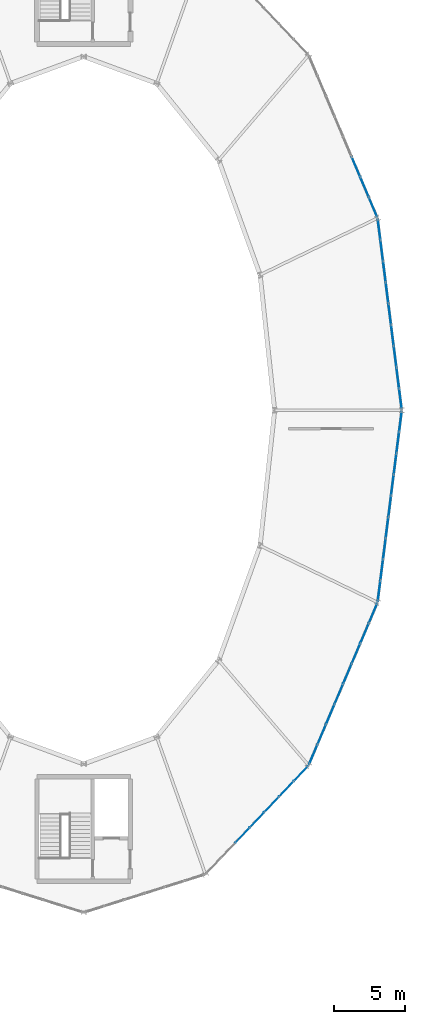
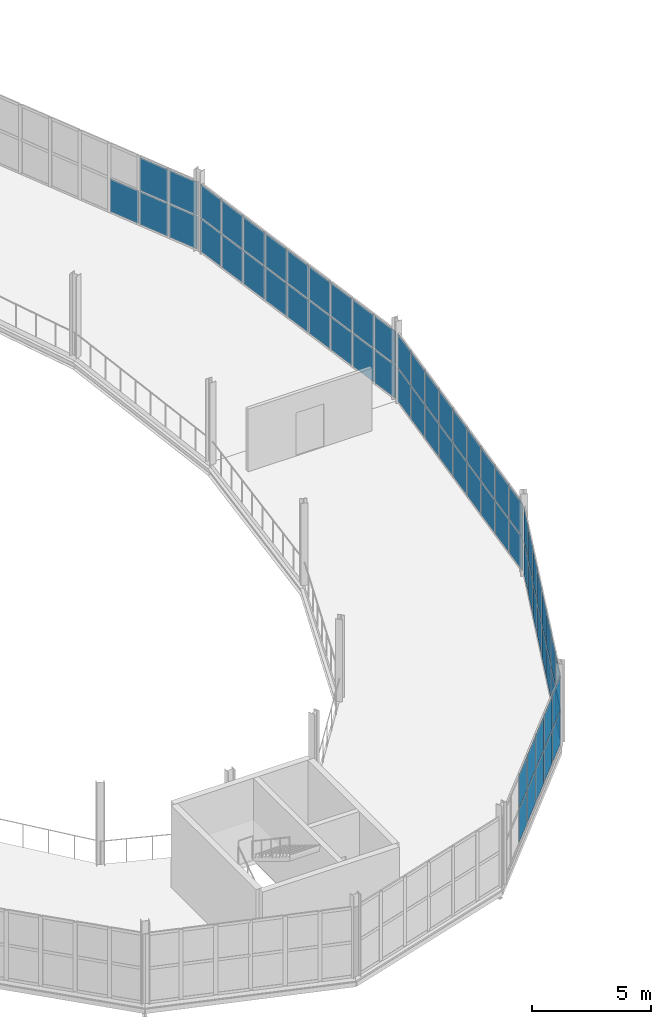
# One storey, part 125 of 161: 67 plates, 5 elements without a shape of their own.
"""IFC4 building model written with IfcOpenShell, lengths in metres."""

from ifc_helpers import new_model, si_unit, direction, frame, origin, origin_2d, place, context, subcontext, project, spatial, rectangle, extrude, material, layer, layer_set, type_object, element, aggregate, save


model = new_model("IFC4")

# Units and contexts
model_context = context("Model", 3, precision=1e-05, world=origin(), true_north=direction((0.0, 1.0)))
body_context = subcontext(model_context, "Body", "Model", "MODEL_VIEW")
ifc_project = project(units=[si_unit("LENGTHUNIT", "METRE"), si_unit("AREAUNIT", "SQUARE_METRE"), si_unit("VOLUMEUNIT", "CUBIC_METRE"), si_unit("PLANEANGLEUNIT", "RADIAN"), si_unit("MASSUNIT", "GRAM", prefix="KILO")], contexts=[model_context])

# Site, building, storey
site_placement = place(None, origin())
site = spatial("IfcSite", under=ifc_project, at=site_placement, CompositionType="ELEMENT")
building_placement = place(site_placement, origin())
building = spatial("IfcBuilding", under=site, at=building_placement, Name="Kildeholm Park Wholesale Market", CompositionType="ELEMENT")
storey_placement = place(building_placement, frame((0.0, 0.0, 5.39990234375)))
storey = spatial("IfcBuildingStorey", under=building, at=storey_placement, Name="L01", CompositionType="ELEMENT", Elevation=5.39990234375)

# Curtain wall, plates
ifc_material_1 = material(Name="Anodised aluminium and low-E double-glazed glass", Category="aluminium")
curtain_wall_type = type_object("IfcCurtainWallType", Name="Market hall glazed arcade stick curtain wall CW-01", PredefinedType="NOTDEFINED", material=ifc_material_1)
curtain_wall_1_placement = place(storey_placement, origin())
curtain_wall_1 = element("IfcCurtainWall", 1, at=curtain_wall_1_placement, inside=storey, type_object=curtain_wall_type, Name="Curtain wall CW-V2-L01-00 CW-0119", PredefinedType="NOTDEFINED")
ifc_material_2 = material(Name="Double-glazed low-E insulated glass", Category="glass")
ifc_layer = layer(ifc_material_2, 0.028076171875)
ifc_layer_set = layer_set([ifc_layer], Name="Double-glazed low-E insulated glass")
plate_type = type_object("IfcPlateType", Name="Curtain-wall panel CWP-1 28 mm", PredefinedType="CURTAIN_PANEL", material=ifc_layer_set)
plate_1_placement = place(storey_placement, frame((210.4033203125, 95.3076171875, 0.06494140625), z_axis=(0.0, 0.0, 1.0), x_axis=(-0.12509240377, 0.992145095497, 0.0)))
plate_1 = element("IfcPlate", 2, at=plate_1_placement, type_object=plate_type, Name="CW-01 panel 1.1 PLT-1740", PredefinedType="CURTAIN_PANEL", context=body_context, shape_type="SweptSolid", body=[
    extrude(rectangle(XDim=1.4150390625, YDim=0.028076171875, at=origin_2d()), origin(), (0.0, 0.0, 1.0), 1.677490234375),
])
plate_2_placement = place(storey_placement, frame((210.4033203125, 95.3076171875, 1.8076171875), z_axis=(0.0, 0.0, 1.0), x_axis=(-0.12509240377, 0.992145095497, 0.0)))
plate_2 = element("IfcPlate", 3, at=plate_2_placement, type_object=plate_type, Name="CW-01 panel 1.2 PLT-1741", PredefinedType="CURTAIN_PANEL", context=body_context, shape_type="SweptSolid", body=[
    extrude(rectangle(XDim=1.4150390625, YDim=0.028076171875, at=origin_2d()), origin(), (0.0, 0.0, 1.0), 1.677490234375),
])
plate_3_placement = place(storey_placement, frame((210.216064453125, 96.792236328125, 0.06494140625), z_axis=(0.0, 0.0, 1.0), x_axis=(-0.12509240377, 0.992145095497, 0.0)))
plate_3 = element("IfcPlate", 4, at=plate_3_placement, type_object=plate_type, Name="CW-01 panel 2.1 PLT-1742", PredefinedType="CURTAIN_PANEL", context=body_context, shape_type="SweptSolid", body=[
    extrude(rectangle(XDim=1.44775390625, YDim=0.028076171875, at=origin_2d()), origin(), (0.0, 0.0, 1.0), 1.677490234375),
])
plate_4_placement = place(storey_placement, frame((210.216064453125, 96.792236328125, 1.8076171875), z_axis=(0.0, 0.0, 1.0), x_axis=(-0.12509240377, 0.992145095497, 0.0)))
plate_4 = element("IfcPlate", 5, at=plate_4_placement, type_object=plate_type, Name="CW-01 panel 2.2 PLT-1743", PredefinedType="CURTAIN_PANEL", context=body_context, shape_type="SweptSolid", body=[
    extrude(rectangle(XDim=1.44775390625, YDim=0.028076171875, at=origin_2d()), origin(), (0.0, 0.0, 1.0), 1.677490234375),
])
plate_5_placement = place(storey_placement, frame((210.02685546875, 98.29296875, 0.06494140625), z_axis=(0.0, 0.0, 1.0), x_axis=(-0.12509240377, 0.992145095497, 0.0)))
plate_5 = element("IfcPlate", 6, at=plate_5_placement, type_object=plate_type, Name="CW-01 panel 3.1 PLT-1744", PredefinedType="CURTAIN_PANEL", context=body_context, shape_type="SweptSolid", body=[
    extrude(rectangle(XDim=1.44775390625, YDim=0.028076171875, at=origin_2d()), origin(), (0.0, 0.0, 1.0), 1.677490234375),
])
plate_6_placement = place(storey_placement, frame((210.02685546875, 98.29296875, 1.8076171875), z_axis=(0.0, 0.0, 1.0), x_axis=(-0.12509240377, 0.992145095497, 0.0)))
plate_6 = element("IfcPlate", 7, at=plate_6_placement, type_object=plate_type, Name="CW-01 panel 3.2 PLT-1745", PredefinedType="CURTAIN_PANEL", context=body_context, shape_type="SweptSolid", body=[
    extrude(rectangle(XDim=1.44775390625, YDim=0.028076171875, at=origin_2d()), origin(), (0.0, 0.0, 1.0), 1.677490234375),
])
plate_7_placement = place(storey_placement, frame((209.837646484375, 99.793701171875, 0.06494140625), z_axis=(0.0, 0.0, 1.0), x_axis=(-0.12509240377, 0.992145095497, 0.0)))
plate_7 = element("IfcPlate", 8, at=plate_7_placement, type_object=plate_type, Name="CW-01 panel 4.1 PLT-1746", PredefinedType="CURTAIN_PANEL", context=body_context, shape_type="SweptSolid", body=[
    extrude(rectangle(XDim=1.44775390625, YDim=0.028076171875, at=origin_2d()), origin(), (0.0, 0.0, 1.0), 1.677490234375),
])
plate_8_placement = place(storey_placement, frame((209.837646484375, 99.793701171875, 1.8076171875), z_axis=(0.0, 0.0, 1.0), x_axis=(-0.12509240377, 0.992145095497, 0.0)))
plate_8 = element("IfcPlate", 9, at=plate_8_placement, type_object=plate_type, Name="CW-01 panel 4.2 PLT-1747", PredefinedType="CURTAIN_PANEL", context=body_context, shape_type="SweptSolid", body=[
    extrude(rectangle(XDim=1.44775390625, YDim=0.028076171875, at=origin_2d()), origin(), (0.0, 0.0, 1.0), 1.677490234375),
])
plate_9_placement = place(storey_placement, frame((209.6484375, 101.29443359375, 0.06494140625), z_axis=(0.0, 0.0, 1.0), x_axis=(-0.12509240377, 0.992145095497, 0.0)))
plate_9 = element("IfcPlate", 10, at=plate_9_placement, type_object=plate_type, Name="CW-01 panel 5.1 PLT-1748", PredefinedType="CURTAIN_PANEL", context=body_context, shape_type="SweptSolid", body=[
    extrude(rectangle(XDim=1.44775390625, YDim=0.028076171875, at=origin_2d()), origin(), (0.0, 0.0, 1.0), 1.677490234375),
])
plate_10_placement = place(storey_placement, frame((209.6484375, 101.29443359375, 1.8076171875), z_axis=(0.0, 0.0, 1.0), x_axis=(-0.12509240377, 0.992145095497, 0.0)))
plate_10 = element("IfcPlate", 11, at=plate_10_placement, type_object=plate_type, Name="CW-01 panel 5.2 PLT-1749", PredefinedType="CURTAIN_PANEL", context=body_context, shape_type="SweptSolid", body=[
    extrude(rectangle(XDim=1.44775390625, YDim=0.028076171875, at=origin_2d()), origin(), (0.0, 0.0, 1.0), 1.677490234375),
])
plate_11_placement = place(storey_placement, frame((209.459228515625, 102.795166015625, 0.06494140625), z_axis=(0.0, 0.0, 1.0), x_axis=(-0.12509240377, 0.992145095497, 0.0)))
plate_11 = element("IfcPlate", 12, at=plate_11_placement, type_object=plate_type, Name="CW-01 panel 6.1 PLT-1750", PredefinedType="CURTAIN_PANEL", context=body_context, shape_type="SweptSolid", body=[
    extrude(rectangle(XDim=1.44775390625, YDim=0.028076171875, at=origin_2d()), origin(), (0.0, 0.0, 1.0), 1.677490234375),
])
plate_12_placement = place(storey_placement, frame((209.459228515625, 102.795166015625, 1.8076171875), z_axis=(0.0, 0.0, 1.0), x_axis=(-0.12509240377, 0.992145095497, 0.0)))
plate_12 = element("IfcPlate", 13, at=plate_12_placement, type_object=plate_type, Name="CW-01 panel 6.2 PLT-1751", PredefinedType="CURTAIN_PANEL", context=body_context, shape_type="SweptSolid", body=[
    extrude(rectangle(XDim=1.44775390625, YDim=0.028076171875, at=origin_2d()), origin(), (0.0, 0.0, 1.0), 1.677490234375),
])
plate_13_placement = place(storey_placement, frame((209.27001953125, 104.296142578125, 0.06494140625), z_axis=(0.0, 0.0, 1.0), x_axis=(-0.12509240377, 0.992145095497, 0.0)))
plate_13 = element("IfcPlate", 14, at=plate_13_placement, type_object=plate_type, Name="CW-01 panel 7.1 PLT-1752", PredefinedType="CURTAIN_PANEL", context=body_context, shape_type="SweptSolid", body=[
    extrude(rectangle(XDim=1.44775390625, YDim=0.028076171875, at=origin_2d()), origin(), (0.0, 0.0, 1.0), 1.677490234375),
])
plate_14_placement = place(storey_placement, frame((209.27001953125, 104.296142578125, 1.8076171875), z_axis=(0.0, 0.0, 1.0), x_axis=(-0.12509240377, 0.992145095497, 0.0)))
plate_14 = element("IfcPlate", 15, at=plate_14_placement, type_object=plate_type, Name="CW-01 panel 7.2 PLT-1753", PredefinedType="CURTAIN_PANEL", context=body_context, shape_type="SweptSolid", body=[
    extrude(rectangle(XDim=1.44775390625, YDim=0.028076171875, at=origin_2d()), origin(), (0.0, 0.0, 1.0), 1.677490234375),
])
plate_15_placement = place(storey_placement, frame((209.080810546875, 105.796875, 0.06494140625), z_axis=(0.0, 0.0, 1.0), x_axis=(-0.12509240377, 0.992145095497, 0.0)))
plate_15 = element("IfcPlate", 16, at=plate_15_placement, type_object=plate_type, Name="CW-01 panel 8.1 PLT-1754", PredefinedType="CURTAIN_PANEL", context=body_context, shape_type="SweptSolid", body=[
    extrude(rectangle(XDim=1.44775390625, YDim=0.028076171875, at=origin_2d()), origin(), (0.0, 0.0, 1.0), 1.677490234375),
])
plate_16_placement = place(storey_placement, frame((209.080810546875, 105.796875, 1.8076171875), z_axis=(0.0, 0.0, 1.0), x_axis=(-0.12509240377, 0.992145095497, 0.0)))
plate_16 = element("IfcPlate", 17, at=plate_16_placement, type_object=plate_type, Name="CW-01 panel 8.2 PLT-1755", PredefinedType="CURTAIN_PANEL", context=body_context, shape_type="SweptSolid", body=[
    extrude(rectangle(XDim=1.44775390625, YDim=0.028076171875, at=origin_2d()), origin(), (0.0, 0.0, 1.0), 1.677490234375),
])
plate_17_placement = place(storey_placement, frame((208.8935546875, 107.281494140625, 0.06494140625), z_axis=(0.0, 0.0, 1.0), x_axis=(-0.12509240377, 0.992145095497, 0.0)))
plate_17 = element("IfcPlate", 18, at=plate_17_placement, type_object=plate_type, Name="CW-01 panel 9.1 PLT-1756", PredefinedType="CURTAIN_PANEL", context=body_context, shape_type="SweptSolid", body=[
    extrude(rectangle(XDim=1.4150390625, YDim=0.028076171875, at=origin_2d()), origin(), (0.0, 0.0, 1.0), 1.677490234375),
])
plate_18_placement = place(storey_placement, frame((208.8935546875, 107.281494140625, 1.8076171875), z_axis=(0.0, 0.0, 1.0), x_axis=(-0.12509240377, 0.992145095497, 0.0)))
plate_18 = element("IfcPlate", 19, at=plate_18_placement, type_object=plate_type, Name="CW-01 panel 9.2 PLT-1757", PredefinedType="CURTAIN_PANEL", context=body_context, shape_type="SweptSolid", body=[
    extrude(rectangle(XDim=1.4150390625, YDim=0.028076171875, at=origin_2d()), origin(), (0.0, 0.0, 1.0), 1.677490234375),
])
aggregate(curtain_wall_1, [plate_1, plate_2, plate_3, plate_4, plate_5, plate_6, plate_7, plate_8, plate_9, plate_10, plate_11, plate_12, plate_13, plate_14, plate_15, plate_16, plate_17, plate_18])

curtain_wall_2_placement = place(storey_placement, origin())
curtain_wall_2 = element("IfcCurtainWall", 20, at=curtain_wall_2_placement, inside=storey, type_object=curtain_wall_type, Name="Curtain wall CW-V2-L01-01 CW-0120", PredefinedType="NOTDEFINED")
plate_19_placement = place(storey_placement, frame((208.466796875, 108.856201171875, 0.06494140625), z_axis=(0.0, 0.0, 1.0), x_axis=(-0.389905076002, 0.920855054668, 0.0)))
plate_19 = element("IfcPlate", 21, at=plate_19_placement, type_object=plate_type, Name="CW-01 panel 1.1 PLT-1758", PredefinedType="CURTAIN_PANEL", context=body_context, shape_type="SweptSolid", body=[
    extrude(rectangle(XDim=1.4560546875, YDim=0.028076171875, at=origin_2d()), origin(), (0.0, 0.0, 1.0), 1.677490234375),
])
plate_20_placement = place(storey_placement, frame((208.466796875, 108.856201171875, 1.8076171875), z_axis=(0.0, 0.0, 1.0), x_axis=(-0.389905076002, 0.920855054668, 0.0)))
plate_20 = element("IfcPlate", 22, at=plate_20_placement, type_object=plate_type, Name="CW-01 panel 1.2 PLT-1759", PredefinedType="CURTAIN_PANEL", context=body_context, shape_type="SweptSolid", body=[
    extrude(rectangle(XDim=1.4560546875, YDim=0.028076171875, at=origin_2d()), origin(), (0.0, 0.0, 1.0), 1.677490234375),
])
plate_21_placement = place(storey_placement, frame((207.867431640625, 110.27197265625, 0.06494140625), z_axis=(0.0, 0.0, 1.0), x_axis=(-0.389905076002, 0.920855054668, 0.0)))
plate_21 = element("IfcPlate", 23, at=plate_21_placement, type_object=plate_type, Name="CW-01 panel 2.1 PLT-1760", PredefinedType="CURTAIN_PANEL", context=body_context, shape_type="SweptSolid", body=[
    extrude(rectangle(XDim=1.488525390625, YDim=0.028076171875, at=origin_2d()), origin(), (0.0, 0.0, 1.0), 1.677490234375),
])
plate_22_placement = place(storey_placement, frame((207.867431640625, 110.27197265625, 1.8076171875), z_axis=(0.0, 0.0, 1.0), x_axis=(-0.389905076002, 0.920855054668, 0.0)))
plate_22 = element("IfcPlate", 24, at=plate_22_placement, type_object=plate_type, Name="CW-01 panel 2.2 PLT-1761", PredefinedType="CURTAIN_PANEL", context=body_context, shape_type="SweptSolid", body=[
    extrude(rectangle(XDim=1.488525390625, YDim=0.028076171875, at=origin_2d()), origin(), (0.0, 0.0, 1.0), 1.677490234375),
])
plate_23_placement = place(storey_placement, frame((207.26171875, 111.70263671875, 0.06494140625), z_axis=(0.0, 0.0, 1.0), x_axis=(-0.389905076002, 0.920855054668, 0.0)))
plate_23 = element("IfcPlate", 25, at=plate_23_placement, type_object=plate_type, Name="CW-01 panel 3.1 PLT-1762", PredefinedType="CURTAIN_PANEL", context=body_context, shape_type="SweptSolid", body=[
    extrude(rectangle(XDim=1.488525390625, YDim=0.028076171875, at=origin_2d()), origin(), (0.0, 0.0, 1.0), 1.677490234375),
])
aggregate(curtain_wall_2, [plate_19, plate_20, plate_21, plate_22, plate_23])

curtain_wall_3_placement = place(storey_placement, origin())
curtain_wall_3 = element("IfcCurtainWall", 26, at=curtain_wall_3_placement, inside=storey, type_object=curtain_wall_type, Name="Curtain wall CW-V2-L01-13 CW-0132", PredefinedType="NOTDEFINED")
plate_24_placement = place(storey_placement, frame((199.228515625, 64.4501953125, 0.06494140625), z_axis=(0.0, 0.0, 1.0), x_axis=(0.688147627866, 0.725570701078, 0.0)))
plate_24 = element("IfcPlate", 27, at=plate_24_placement, type_object=plate_type, Name="CW-01 panel 3.1 PLT-1936", PredefinedType="CURTAIN_PANEL", context=body_context, shape_type="SweptSolid", body=[
    extrude(rectangle(XDim=1.43896484375, YDim=0.028076171875, at=origin_2d()), origin(), (0.0, 0.0, 1.0), 1.677490234375),
])
plate_25_placement = place(storey_placement, frame((199.228515625, 64.4501953125, 1.8076171875), z_axis=(0.0, 0.0, 1.0), x_axis=(0.688147627866, 0.725570701078, 0.0)))
plate_25 = element("IfcPlate", 28, at=plate_25_placement, type_object=plate_type, Name="CW-01 panel 3.2 PLT-1937", PredefinedType="CURTAIN_PANEL", context=body_context, shape_type="SweptSolid", body=[
    extrude(rectangle(XDim=1.43896484375, YDim=0.028076171875, at=origin_2d()), origin(), (0.0, 0.0, 1.0), 1.677490234375),
])
plate_26_placement = place(storey_placement, frame((200.263427734375, 65.54150390625, 0.06494140625), z_axis=(0.0, 0.0, 1.0), x_axis=(0.688147627866, 0.725570701078, 0.0)))
plate_26 = element("IfcPlate", 29, at=plate_26_placement, type_object=plate_type, Name="CW-01 panel 4.1 PLT-1938", PredefinedType="CURTAIN_PANEL", context=body_context, shape_type="SweptSolid", body=[
    extrude(rectangle(XDim=1.43896484375, YDim=0.028076171875, at=origin_2d()), origin(), (0.0, 0.0, 1.0), 1.677490234375),
])
plate_27_placement = place(storey_placement, frame((200.263427734375, 65.54150390625, 1.8076171875), z_axis=(0.0, 0.0, 1.0), x_axis=(0.688147627866, 0.725570701078, 0.0)))
plate_27 = element("IfcPlate", 30, at=plate_27_placement, type_object=plate_type, Name="CW-01 panel 4.2 PLT-1939", PredefinedType="CURTAIN_PANEL", context=body_context, shape_type="SweptSolid", body=[
    extrude(rectangle(XDim=1.43896484375, YDim=0.028076171875, at=origin_2d()), origin(), (0.0, 0.0, 1.0), 1.677490234375),
])
plate_28_placement = place(storey_placement, frame((201.298583984375, 66.6328125, 0.06494140625), z_axis=(0.0, 0.0, 1.0), x_axis=(0.688147627866, 0.725570701078, 0.0)))
plate_28 = element("IfcPlate", 31, at=plate_28_placement, type_object=plate_type, Name="CW-01 panel 5.1 PLT-1940", PredefinedType="CURTAIN_PANEL", context=body_context, shape_type="SweptSolid", body=[
    extrude(rectangle(XDim=1.43896484375, YDim=0.028076171875, at=origin_2d()), origin(), (0.0, 0.0, 1.0), 1.677490234375),
])
plate_29_placement = place(storey_placement, frame((201.298583984375, 66.6328125, 1.8076171875), z_axis=(0.0, 0.0, 1.0), x_axis=(0.688147627866, 0.725570701078, 0.0)))
plate_29 = element("IfcPlate", 32, at=plate_29_placement, type_object=plate_type, Name="CW-01 panel 5.2 PLT-1941", PredefinedType="CURTAIN_PANEL", context=body_context, shape_type="SweptSolid", body=[
    extrude(rectangle(XDim=1.43896484375, YDim=0.028076171875, at=origin_2d()), origin(), (0.0, 0.0, 1.0), 1.677490234375),
])
plate_30_placement = place(storey_placement, frame((202.33349609375, 67.72412109375, 0.06494140625), z_axis=(0.0, 0.0, 1.0), x_axis=(0.688147627866, 0.725570701078, 0.0)))
plate_30 = element("IfcPlate", 33, at=plate_30_placement, type_object=plate_type, Name="CW-01 panel 6.1 PLT-1942", PredefinedType="CURTAIN_PANEL", context=body_context, shape_type="SweptSolid", body=[
    extrude(rectangle(XDim=1.43896484375, YDim=0.028076171875, at=origin_2d()), origin(), (0.0, 0.0, 1.0), 1.677490234375),
])
plate_31_placement = place(storey_placement, frame((202.33349609375, 67.72412109375, 1.8076171875), z_axis=(0.0, 0.0, 1.0), x_axis=(0.688147627866, 0.725570701078, 0.0)))
plate_31 = element("IfcPlate", 34, at=plate_31_placement, type_object=plate_type, Name="CW-01 panel 6.2 PLT-1943", PredefinedType="CURTAIN_PANEL", context=body_context, shape_type="SweptSolid", body=[
    extrude(rectangle(XDim=1.43896484375, YDim=0.028076171875, at=origin_2d()), origin(), (0.0, 0.0, 1.0), 1.677490234375),
])
plate_32_placement = place(storey_placement, frame((203.357421875, 68.803466796875, 0.06494140625), z_axis=(0.0, 0.0, 1.0), x_axis=(0.688147627866, 0.725570701078, 0.0)))
plate_32 = element("IfcPlate", 35, at=plate_32_placement, type_object=plate_type, Name="CW-01 panel 7.1 PLT-1944", PredefinedType="CURTAIN_PANEL", context=body_context, shape_type="SweptSolid", body=[
    extrude(rectangle(XDim=1.406494140625, YDim=0.028076171875, at=origin_2d()), origin(), (0.0, 0.0, 1.0), 1.677490234375),
])
plate_33_placement = place(storey_placement, frame((203.357421875, 68.803466796875, 1.8076171875), z_axis=(0.0, 0.0, 1.0), x_axis=(0.688147627866, 0.725570701078, 0.0)))
plate_33 = element("IfcPlate", 36, at=plate_33_placement, type_object=plate_type, Name="CW-01 panel 7.2 PLT-1945", PredefinedType="CURTAIN_PANEL", context=body_context, shape_type="SweptSolid", body=[
    extrude(rectangle(XDim=1.406494140625, YDim=0.028076171875, at=origin_2d()), origin(), (0.0, 0.0, 1.0), 1.677490234375),
])
aggregate(curtain_wall_3, [plate_24, plate_25, plate_26, plate_27, plate_28, plate_29, plate_30, plate_31, plate_32, plate_33])

curtain_wall_4_placement = place(storey_placement, origin())
curtain_wall_4 = element("IfcCurtainWall", 37, at=curtain_wall_4_placement, inside=storey, type_object=curtain_wall_type, Name="Curtain wall CW-V2-L01-14 CW-0133", PredefinedType="NOTDEFINED")
plate_34_placement = place(storey_placement, frame((204.2392578125, 70.1591796875, 0.06494140625), z_axis=(0.0, 0.0, 1.0), x_axis=(0.389905076002, 0.920855054668, 0.0)))
plate_34 = element("IfcPlate", 38, at=plate_34_placement, type_object=plate_type, Name="CW-01 panel 1.1 PLT-1946", PredefinedType="CURTAIN_PANEL", context=body_context, shape_type="SweptSolid", body=[
    extrude(rectangle(XDim=1.4560546875, YDim=0.028076171875, at=origin_2d()), origin(), (0.0, 0.0, 1.0), 1.677490234375),
])
plate_35_placement = place(storey_placement, frame((204.2392578125, 70.1591796875, 1.8076171875), z_axis=(0.0, 0.0, 1.0), x_axis=(0.389905076002, 0.920855054668, 0.0)))
plate_35 = element("IfcPlate", 39, at=plate_35_placement, type_object=plate_type, Name="CW-01 panel 1.2 PLT-1947", PredefinedType="CURTAIN_PANEL", context=body_context, shape_type="SweptSolid", body=[
    extrude(rectangle(XDim=1.4560546875, YDim=0.028076171875, at=origin_2d()), origin(), (0.0, 0.0, 1.0), 1.677490234375),
])
plate_36_placement = place(storey_placement, frame((204.838623046875, 71.574951171875, 0.06494140625), z_axis=(0.0, 0.0, 1.0), x_axis=(0.389905076002, 0.920855054668, 0.0)))
plate_36 = element("IfcPlate", 40, at=plate_36_placement, type_object=plate_type, Name="CW-01 panel 2.1 PLT-1948", PredefinedType="CURTAIN_PANEL", context=body_context, shape_type="SweptSolid", body=[
    extrude(rectangle(XDim=1.488525390625, YDim=0.028076171875, at=origin_2d()), origin(), (0.0, 0.0, 1.0), 1.677490234375),
])
plate_37_placement = place(storey_placement, frame((204.838623046875, 71.574951171875, 1.8076171875), z_axis=(0.0, 0.0, 1.0), x_axis=(0.389905076002, 0.920855054668, 0.0)))
plate_37 = element("IfcPlate", 41, at=plate_37_placement, type_object=plate_type, Name="CW-01 panel 2.2 PLT-1949", PredefinedType="CURTAIN_PANEL", context=body_context, shape_type="SweptSolid", body=[
    extrude(rectangle(XDim=1.488525390625, YDim=0.028076171875, at=origin_2d()), origin(), (0.0, 0.0, 1.0), 1.677490234375),
])
plate_38_placement = place(storey_placement, frame((205.4443359375, 73.005615234375, 0.06494140625), z_axis=(0.0, 0.0, 1.0), x_axis=(0.389905076002, 0.920855054668, 0.0)))
plate_38 = element("IfcPlate", 42, at=plate_38_placement, type_object=plate_type, Name="CW-01 panel 3.1 PLT-1950", PredefinedType="CURTAIN_PANEL", context=body_context, shape_type="SweptSolid", body=[
    extrude(rectangle(XDim=1.488525390625, YDim=0.028076171875, at=origin_2d()), origin(), (0.0, 0.0, 1.0), 1.677490234375),
])
plate_39_placement = place(storey_placement, frame((205.4443359375, 73.005615234375, 1.8076171875), z_axis=(0.0, 0.0, 1.0), x_axis=(0.389905076002, 0.920855054668, 0.0)))
plate_39 = element("IfcPlate", 43, at=plate_39_placement, type_object=plate_type, Name="CW-01 panel 3.2 PLT-1951", PredefinedType="CURTAIN_PANEL", context=body_context, shape_type="SweptSolid", body=[
    extrude(rectangle(XDim=1.488525390625, YDim=0.028076171875, at=origin_2d()), origin(), (0.0, 0.0, 1.0), 1.677490234375),
])
plate_40_placement = place(storey_placement, frame((206.050048828125, 74.436279296875, 0.06494140625), z_axis=(0.0, 0.0, 1.0), x_axis=(0.389905076002, 0.920855054668, 0.0)))
plate_40 = element("IfcPlate", 44, at=plate_40_placement, type_object=plate_type, Name="CW-01 panel 4.1 PLT-1952", PredefinedType="CURTAIN_PANEL", context=body_context, shape_type="SweptSolid", body=[
    extrude(rectangle(XDim=1.488525390625, YDim=0.028076171875, at=origin_2d()), origin(), (0.0, 0.0, 1.0), 1.677490234375),
])
plate_41_placement = place(storey_placement, frame((206.050048828125, 74.436279296875, 1.8076171875), z_axis=(0.0, 0.0, 1.0), x_axis=(0.389905076002, 0.920855054668, 0.0)))
plate_41 = element("IfcPlate", 45, at=plate_41_placement, type_object=plate_type, Name="CW-01 panel 4.2 PLT-1953", PredefinedType="CURTAIN_PANEL", context=body_context, shape_type="SweptSolid", body=[
    extrude(rectangle(XDim=1.488525390625, YDim=0.028076171875, at=origin_2d()), origin(), (0.0, 0.0, 1.0), 1.677490234375),
])
plate_42_placement = place(storey_placement, frame((206.65576171875, 75.86669921875, 0.06494140625), z_axis=(0.0, 0.0, 1.0), x_axis=(0.389905076002, 0.920855054668, 0.0)))
plate_42 = element("IfcPlate", 46, at=plate_42_placement, type_object=plate_type, Name="CW-01 panel 5.1 PLT-1954", PredefinedType="CURTAIN_PANEL", context=body_context, shape_type="SweptSolid", body=[
    extrude(rectangle(XDim=1.488525390625, YDim=0.028076171875, at=origin_2d()), origin(), (0.0, 0.0, 1.0), 1.677490234375),
])
plate_43_placement = place(storey_placement, frame((206.65576171875, 75.86669921875, 1.8076171875), z_axis=(0.0, 0.0, 1.0), x_axis=(0.389905076002, 0.920855054668, 0.0)))
plate_43 = element("IfcPlate", 47, at=plate_43_placement, type_object=plate_type, Name="CW-01 panel 5.2 PLT-1955", PredefinedType="CURTAIN_PANEL", context=body_context, shape_type="SweptSolid", body=[
    extrude(rectangle(XDim=1.488525390625, YDim=0.028076171875, at=origin_2d()), origin(), (0.0, 0.0, 1.0), 1.677490234375),
])
plate_44_placement = place(storey_placement, frame((207.26171875, 77.29736328125, 0.06494140625), z_axis=(0.0, 0.0, 1.0), x_axis=(0.389905076002, 0.920855054668, 0.0)))
plate_44 = element("IfcPlate", 48, at=plate_44_placement, type_object=plate_type, Name="CW-01 panel 6.1 PLT-1956", PredefinedType="CURTAIN_PANEL", context=body_context, shape_type="SweptSolid", body=[
    extrude(rectangle(XDim=1.488525390625, YDim=0.028076171875, at=origin_2d()), origin(), (0.0, 0.0, 1.0), 1.677490234375),
])
plate_45_placement = place(storey_placement, frame((207.26171875, 77.29736328125, 1.8076171875), z_axis=(0.0, 0.0, 1.0), x_axis=(0.389905076002, 0.920855054668, 0.0)))
plate_45 = element("IfcPlate", 49, at=plate_45_placement, type_object=plate_type, Name="CW-01 panel 6.2 PLT-1957", PredefinedType="CURTAIN_PANEL", context=body_context, shape_type="SweptSolid", body=[
    extrude(rectangle(XDim=1.488525390625, YDim=0.028076171875, at=origin_2d()), origin(), (0.0, 0.0, 1.0), 1.677490234375),
])
plate_46_placement = place(storey_placement, frame((207.867431640625, 78.72802734375, 0.06494140625), z_axis=(0.0, 0.0, 1.0), x_axis=(0.389905076002, 0.920855054668, 0.0)))
plate_46 = element("IfcPlate", 50, at=plate_46_placement, type_object=plate_type, Name="CW-01 panel 7.1 PLT-1958", PredefinedType="CURTAIN_PANEL", context=body_context, shape_type="SweptSolid", body=[
    extrude(rectangle(XDim=1.488525390625, YDim=0.028076171875, at=origin_2d()), origin(), (0.0, 0.0, 1.0), 1.677490234375),
])
plate_47_placement = place(storey_placement, frame((207.867431640625, 78.72802734375, 1.8076171875), z_axis=(0.0, 0.0, 1.0), x_axis=(0.389905076002, 0.920855054668, 0.0)))
plate_47 = element("IfcPlate", 51, at=plate_47_placement, type_object=plate_type, Name="CW-01 panel 7.2 PLT-1959", PredefinedType="CURTAIN_PANEL", context=body_context, shape_type="SweptSolid", body=[
    extrude(rectangle(XDim=1.488525390625, YDim=0.028076171875, at=origin_2d()), origin(), (0.0, 0.0, 1.0), 1.677490234375),
])
plate_48_placement = place(storey_placement, frame((208.466796875, 80.143798828125, 0.06494140625), z_axis=(0.0, 0.0, 1.0), x_axis=(0.389905076002, 0.920855054668, 0.0)))
plate_48 = element("IfcPlate", 52, at=plate_48_placement, type_object=plate_type, Name="CW-01 panel 8.1 PLT-1960", PredefinedType="CURTAIN_PANEL", context=body_context, shape_type="SweptSolid", body=[
    extrude(rectangle(XDim=1.4560546875, YDim=0.028076171875, at=origin_2d()), origin(), (0.0, 0.0, 1.0), 1.677490234375),
])
plate_49_placement = place(storey_placement, frame((208.466796875, 80.143798828125, 1.8076171875), z_axis=(0.0, 0.0, 1.0), x_axis=(0.389905076002, 0.920855054668, 0.0)))
plate_49 = element("IfcPlate", 53, at=plate_49_placement, type_object=plate_type, Name="CW-01 panel 8.2 PLT-1961", PredefinedType="CURTAIN_PANEL", context=body_context, shape_type="SweptSolid", body=[
    extrude(rectangle(XDim=1.4560546875, YDim=0.028076171875, at=origin_2d()), origin(), (0.0, 0.0, 1.0), 1.677490234375),
])
aggregate(curtain_wall_4, [plate_34, plate_35, plate_36, plate_37, plate_38, plate_39, plate_40, plate_41, plate_42, plate_43, plate_44, plate_45, plate_46, plate_47, plate_48, plate_49])

curtain_wall_5_placement = place(storey_placement, origin())
curtain_wall_5 = element("IfcCurtainWall", 54, at=curtain_wall_5_placement, inside=storey, type_object=curtain_wall_type, Name="Curtain wall CW-V2-L01-15 CW-0134", PredefinedType="NOTDEFINED")
plate_50_placement = place(storey_placement, frame((208.8935546875, 81.718505859375, 0.06494140625), z_axis=(0.0, 0.0, 1.0), x_axis=(0.12509240377, 0.992145095497, 0.0)))
plate_50 = element("IfcPlate", 55, at=plate_50_placement, type_object=plate_type, Name="CW-01 panel 1.1 PLT-1962", PredefinedType="CURTAIN_PANEL", context=body_context, shape_type="SweptSolid", body=[
    extrude(rectangle(XDim=1.4150390625, YDim=0.028076171875, at=origin_2d()), origin(), (0.0, 0.0, 1.0), 1.677490234375),
])
plate_51_placement = place(storey_placement, frame((208.8935546875, 81.718505859375, 1.8076171875), z_axis=(0.0, 0.0, 1.0), x_axis=(0.12509240377, 0.992145095497, 0.0)))
plate_51 = element("IfcPlate", 56, at=plate_51_placement, type_object=plate_type, Name="CW-01 panel 1.2 PLT-1963", PredefinedType="CURTAIN_PANEL", context=body_context, shape_type="SweptSolid", body=[
    extrude(rectangle(XDim=1.4150390625, YDim=0.028076171875, at=origin_2d()), origin(), (0.0, 0.0, 1.0), 1.677490234375),
])
plate_52_placement = place(storey_placement, frame((209.080810546875, 83.203125, 0.06494140625), z_axis=(0.0, 0.0, 1.0), x_axis=(0.12509240377, 0.992145095497, 0.0)))
plate_52 = element("IfcPlate", 57, at=plate_52_placement, type_object=plate_type, Name="CW-01 panel 2.1 PLT-1964", PredefinedType="CURTAIN_PANEL", context=body_context, shape_type="SweptSolid", body=[
    extrude(rectangle(XDim=1.44775390625, YDim=0.028076171875, at=origin_2d()), origin(), (0.0, 0.0, 1.0), 1.677490234375),
])
plate_53_placement = place(storey_placement, frame((209.080810546875, 83.203125, 1.8076171875), z_axis=(0.0, 0.0, 1.0), x_axis=(0.12509240377, 0.992145095497, 0.0)))
plate_53 = element("IfcPlate", 58, at=plate_53_placement, type_object=plate_type, Name="CW-01 panel 2.2 PLT-1965", PredefinedType="CURTAIN_PANEL", context=body_context, shape_type="SweptSolid", body=[
    extrude(rectangle(XDim=1.44775390625, YDim=0.028076171875, at=origin_2d()), origin(), (0.0, 0.0, 1.0), 1.677490234375),
])
plate_54_placement = place(storey_placement, frame((209.27001953125, 84.703857421875, 0.06494140625), z_axis=(0.0, 0.0, 1.0), x_axis=(0.12509240377, 0.992145095497, 0.0)))
plate_54 = element("IfcPlate", 59, at=plate_54_placement, type_object=plate_type, Name="CW-01 panel 3.1 PLT-1966", PredefinedType="CURTAIN_PANEL", context=body_context, shape_type="SweptSolid", body=[
    extrude(rectangle(XDim=1.44775390625, YDim=0.028076171875, at=origin_2d()), origin(), (0.0, 0.0, 1.0), 1.677490234375),
])
plate_55_placement = place(storey_placement, frame((209.27001953125, 84.703857421875, 1.8076171875), z_axis=(0.0, 0.0, 1.0), x_axis=(0.12509240377, 0.992145095497, 0.0)))
plate_55 = element("IfcPlate", 60, at=plate_55_placement, type_object=plate_type, Name="CW-01 panel 3.2 PLT-1967", PredefinedType="CURTAIN_PANEL", context=body_context, shape_type="SweptSolid", body=[
    extrude(rectangle(XDim=1.44775390625, YDim=0.028076171875, at=origin_2d()), origin(), (0.0, 0.0, 1.0), 1.677490234375),
])
plate_56_placement = place(storey_placement, frame((209.459228515625, 86.204833984375, 0.06494140625), z_axis=(0.0, 0.0, 1.0), x_axis=(0.12509240377, 0.992145095497, 0.0)))
plate_56 = element("IfcPlate", 61, at=plate_56_placement, type_object=plate_type, Name="CW-01 panel 4.1 PLT-1968", PredefinedType="CURTAIN_PANEL", context=body_context, shape_type="SweptSolid", body=[
    extrude(rectangle(XDim=1.44775390625, YDim=0.028076171875, at=origin_2d()), origin(), (0.0, 0.0, 1.0), 1.677490234375),
])
plate_57_placement = place(storey_placement, frame((209.459228515625, 86.204833984375, 1.8076171875), z_axis=(0.0, 0.0, 1.0), x_axis=(0.12509240377, 0.992145095497, 0.0)))
plate_57 = element("IfcPlate", 62, at=plate_57_placement, type_object=plate_type, Name="CW-01 panel 4.2 PLT-1969", PredefinedType="CURTAIN_PANEL", context=body_context, shape_type="SweptSolid", body=[
    extrude(rectangle(XDim=1.44775390625, YDim=0.028076171875, at=origin_2d()), origin(), (0.0, 0.0, 1.0), 1.677490234375),
])
plate_58_placement = place(storey_placement, frame((209.6484375, 87.70556640625, 0.06494140625), z_axis=(0.0, 0.0, 1.0), x_axis=(0.12509240377, 0.992145095497, 0.0)))
plate_58 = element("IfcPlate", 63, at=plate_58_placement, type_object=plate_type, Name="CW-01 panel 5.1 PLT-1970", PredefinedType="CURTAIN_PANEL", context=body_context, shape_type="SweptSolid", body=[
    extrude(rectangle(XDim=1.44775390625, YDim=0.028076171875, at=origin_2d()), origin(), (0.0, 0.0, 1.0), 1.677490234375),
])
plate_59_placement = place(storey_placement, frame((209.6484375, 87.70556640625, 1.8076171875), z_axis=(0.0, 0.0, 1.0), x_axis=(0.12509240377, 0.992145095497, 0.0)))
plate_59 = element("IfcPlate", 64, at=plate_59_placement, type_object=plate_type, Name="CW-01 panel 5.2 PLT-1971", PredefinedType="CURTAIN_PANEL", context=body_context, shape_type="SweptSolid", body=[
    extrude(rectangle(XDim=1.44775390625, YDim=0.028076171875, at=origin_2d()), origin(), (0.0, 0.0, 1.0), 1.677490234375),
])
plate_60_placement = place(storey_placement, frame((209.837646484375, 89.206298828125, 0.06494140625), z_axis=(0.0, 0.0, 1.0), x_axis=(0.12509240377, 0.992145095497, 0.0)))
plate_60 = element("IfcPlate", 65, at=plate_60_placement, type_object=plate_type, Name="CW-01 panel 6.1 PLT-1972", PredefinedType="CURTAIN_PANEL", context=body_context, shape_type="SweptSolid", body=[
    extrude(rectangle(XDim=1.44775390625, YDim=0.028076171875, at=origin_2d()), origin(), (0.0, 0.0, 1.0), 1.677490234375),
])
plate_61_placement = place(storey_placement, frame((209.837646484375, 89.206298828125, 1.8076171875), z_axis=(0.0, 0.0, 1.0), x_axis=(0.12509240377, 0.992145095497, 0.0)))
plate_61 = element("IfcPlate", 66, at=plate_61_placement, type_object=plate_type, Name="CW-01 panel 6.2 PLT-1973", PredefinedType="CURTAIN_PANEL", context=body_context, shape_type="SweptSolid", body=[
    extrude(rectangle(XDim=1.44775390625, YDim=0.028076171875, at=origin_2d()), origin(), (0.0, 0.0, 1.0), 1.677490234375),
])
plate_62_placement = place(storey_placement, frame((210.02685546875, 90.70703125, 0.06494140625), z_axis=(0.0, 0.0, 1.0), x_axis=(0.12509240377, 0.992145095497, 0.0)))
plate_62 = element("IfcPlate", 67, at=plate_62_placement, type_object=plate_type, Name="CW-01 panel 7.1 PLT-1974", PredefinedType="CURTAIN_PANEL", context=body_context, shape_type="SweptSolid", body=[
    extrude(rectangle(XDim=1.44775390625, YDim=0.028076171875, at=origin_2d()), origin(), (0.0, 0.0, 1.0), 1.677490234375),
])
plate_63_placement = place(storey_placement, frame((210.02685546875, 90.70703125, 1.8076171875), z_axis=(0.0, 0.0, 1.0), x_axis=(0.12509240377, 0.992145095497, 0.0)))
plate_63 = element("IfcPlate", 68, at=plate_63_placement, type_object=plate_type, Name="CW-01 panel 7.2 PLT-1975", PredefinedType="CURTAIN_PANEL", context=body_context, shape_type="SweptSolid", body=[
    extrude(rectangle(XDim=1.44775390625, YDim=0.028076171875, at=origin_2d()), origin(), (0.0, 0.0, 1.0), 1.677490234375),
])
plate_64_placement = place(storey_placement, frame((210.216064453125, 92.207763671875, 0.06494140625), z_axis=(0.0, 0.0, 1.0), x_axis=(0.12509240377, 0.992145095497, 0.0)))
plate_64 = element("IfcPlate", 69, at=plate_64_placement, type_object=plate_type, Name="CW-01 panel 8.1 PLT-1976", PredefinedType="CURTAIN_PANEL", context=body_context, shape_type="SweptSolid", body=[
    extrude(rectangle(XDim=1.44775390625, YDim=0.028076171875, at=origin_2d()), origin(), (0.0, 0.0, 1.0), 1.677490234375),
])
plate_65_placement = place(storey_placement, frame((210.216064453125, 92.207763671875, 1.8076171875), z_axis=(0.0, 0.0, 1.0), x_axis=(0.12509240377, 0.992145095497, 0.0)))
plate_65 = element("IfcPlate", 70, at=plate_65_placement, type_object=plate_type, Name="CW-01 panel 8.2 PLT-1977", PredefinedType="CURTAIN_PANEL", context=body_context, shape_type="SweptSolid", body=[
    extrude(rectangle(XDim=1.44775390625, YDim=0.028076171875, at=origin_2d()), origin(), (0.0, 0.0, 1.0), 1.677490234375),
])
plate_66_placement = place(storey_placement, frame((210.4033203125, 93.6923828125, 0.06494140625), z_axis=(0.0, 0.0, 1.0), x_axis=(0.12509240377, 0.992145095497, 0.0)))
plate_66 = element("IfcPlate", 71, at=plate_66_placement, type_object=plate_type, Name="CW-01 panel 9.1 PLT-1978", PredefinedType="CURTAIN_PANEL", context=body_context, shape_type="SweptSolid", body=[
    extrude(rectangle(XDim=1.4150390625, YDim=0.028076171875, at=origin_2d()), origin(), (0.0, 0.0, 1.0), 1.677490234375),
])
plate_67_placement = place(storey_placement, frame((210.4033203125, 93.6923828125, 1.8076171875), z_axis=(0.0, 0.0, 1.0), x_axis=(0.12509240377, 0.992145095497, 0.0)))
plate_67 = element("IfcPlate", 72, at=plate_67_placement, type_object=plate_type, Name="CW-01 panel 9.2 PLT-1979", PredefinedType="CURTAIN_PANEL", context=body_context, shape_type="SweptSolid", body=[
    extrude(rectangle(XDim=1.4150390625, YDim=0.028076171875, at=origin_2d()), origin(), (0.0, 0.0, 1.0), 1.677490234375),
])
aggregate(curtain_wall_5, [plate_50, plate_51, plate_52, plate_53, plate_54, plate_55, plate_56, plate_57, plate_58, plate_59, plate_60, plate_61, plate_62, plate_63, plate_64, plate_65, plate_66, plate_67])

save(model, "model.ifc")
